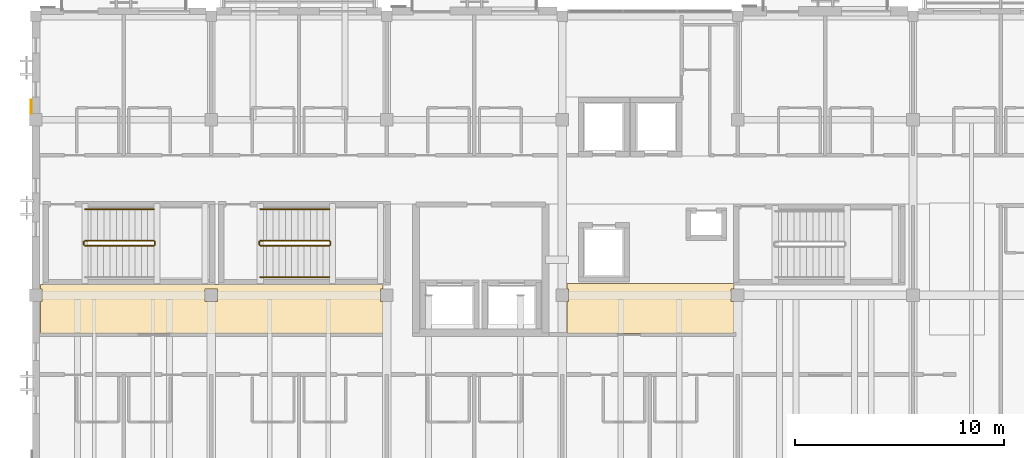
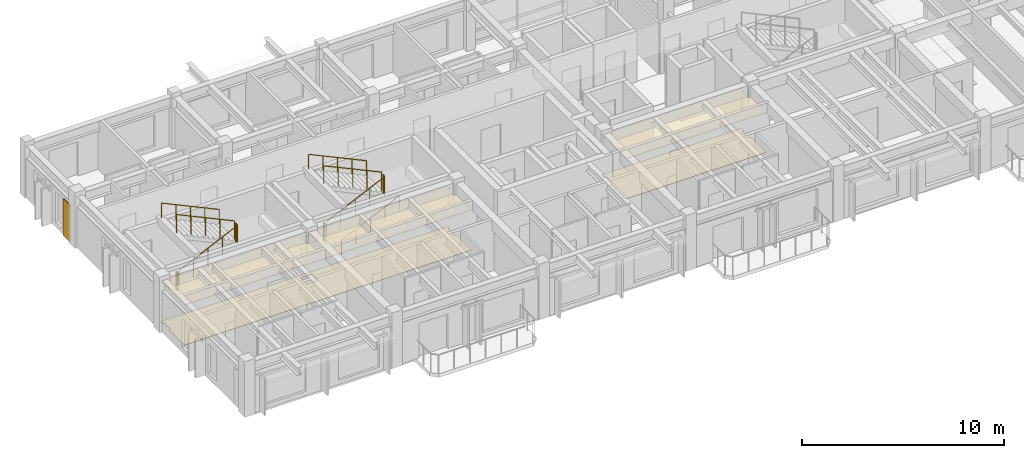
# One storey, part 28 of 31: 11 railings, 5 coverings.
"""IFC4 building model written with IfcOpenShell, lengths in metres."""

from ifc_helpers import new_model, si_unit, direction, frame, origin, origin_2d, place, context, subcontext, project, spatial, polyline, circle, outline, extrude, material, layer, layer_set, type_object, element, save


model = new_model("IFC4")

# Units and contexts
model_context = context("Model", 3, precision=1e-05, world=origin(), true_north=direction((0.0, 1.0)))
body_context = subcontext(model_context, "Body", "Model", "MODEL_VIEW")
ifc_project = project(units=[si_unit("LENGTHUNIT", "METRE"), si_unit("AREAUNIT", "SQUARE_METRE"), si_unit("VOLUMEUNIT", "CUBIC_METRE"), si_unit("PLANEANGLEUNIT", "RADIAN"), si_unit("MASSUNIT", "GRAM", prefix="KILO")], contexts=[model_context])

# Site, building, storey
site_placement = place(None, origin())
site = spatial("IfcSite", under=ifc_project, at=site_placement, CompositionType="ELEMENT")
building_placement = place(site_placement, origin())
building = spatial("IfcBuilding", under=site, at=building_placement, Name="Cumbredor Promenade Congress Hotel", CompositionType="ELEMENT")
storey_placement = place(building_placement, frame((0.0, 0.0, 31.919921875)))
storey = spatial("IfcBuildingStorey", under=building, at=storey_placement, Name="L09", CompositionType="ELEMENT", Elevation=31.919921875)

# Coverings
ifc_material_1 = material(Name="Acoustic mineral-fiber and gypsum ceiling")
ifc_layer_1 = layer(ifc_material_1, 0.028076171875, Name="Acoustic mineral-fiber and gypsum ceiling")
ifc_layer_set_1 = layer_set([ifc_layer_1], Name="Acoustic mineral-fiber and gypsum ceiling")
covering_type_1 = type_object("IfcCoveringType", Name="Acoustic Perforated Gypsum Ceiling CLG-03 28mm", PredefinedType="CEILING", material=ifc_layer_set_1)
covering_1_placement = place(storey_placement, frame((0.0, 0.0, 2.423095703125)))
element("IfcCovering", 1, at=covering_1_placement, inside=storey, type_object=covering_type_1, Name="L09 Sabana Delegates Study Salon Acoustic Ceiling", PredefinedType="CEILING", context=body_context, shape_type="SweptSolid", body=[
    extrude(outline(polyline([(25.02001953125, 101.10498046875), (24.89501953125, 101.10498046875), (24.89501953125, 100.4951171875), (25.02001953125, 100.4951171875), (25.02001953125, 98.9599609375), (8.623046875, 98.9599609375), (8.623046875, 100.4951171875), (8.705078125, 100.4951171875), (8.705078125, 101.10498046875), (8.623046875, 101.10498046875), (8.623046875, 101.320068359375), (25.02001953125, 101.320068359375), (25.02001953125, 101.10498046875)]), holes=[polyline([(16.4951171875, 101.10498046875), (16.4951171875, 100.4951171875), (17.10498046875, 100.4951171875), (17.10498046875, 101.10498046875), (16.4951171875, 101.10498046875)])]), origin(), (0.0, 0.0, 1.0), 0.028076171875),
])
ifc_layer_2 = layer(ifc_material_1, 0.031982421875, Name="Acoustic mineral-fiber and gypsum ceiling")
ifc_layer_set_2 = layer_set([ifc_layer_2], Name="Acoustic mineral-fiber and gypsum ceiling")
covering_type_2 = type_object("IfcCoveringType", Name="Acoustic Perforated Gypsum Ceiling CLG-04 32mm", PredefinedType="CEILING", material=ifc_layer_set_2)
covering_2_placement = place(storey_placement, frame((0.0, 0.0, 2.419189453125)))
element("IfcCovering", 2, at=covering_2_placement, inside=storey, type_object=covering_type_2, Name="L09 Cordillera Business Lounge Acoustic Ceiling", PredefinedType="CEILING", context=body_context, shape_type="SweptSolid", body=[
    extrude(outline(polyline([(41.820068359375, 101.3701171875), (41.820068359375, 101.10498046875), (41.695068359375, 101.10498046875), (41.695068359375, 100.4951171875), (41.820068359375, 100.4951171875), (41.820068359375, 98.9599609375), (33.830078125, 98.9599609375), (33.830078125, 100.4951171875), (33.905029296875, 100.4951171875), (33.905029296875, 101.10498046875), (33.830078125, 101.10498046875), (33.830078125, 101.3701171875), (41.820068359375, 101.3701171875)])), origin(), (0.0, 0.0, 1.0), 0.031982421875),
])
ifc_material_2 = material(Name="Precast concrete C40/50", Category="concrete")
ifc_layer_3 = layer(ifc_material_2, 0.044921875, Name="Precast concrete C40/50", Category="concrete")
ifc_layer_set_3 = layer_set([ifc_layer_3], Name="Precast concrete C40/50")
covering_type_3 = type_object("IfcCoveringType", Name="Board-Formed Architectural Cladding Panel 45mm", PredefinedType="CLADDING", material=ifc_layer_set_3)
covering_3_placement = place(storey_placement, origin())
element("IfcCovering", 3, at=covering_3_placement, inside=storey, type_object=covering_type_3, Name="L09 Facade Stone Cladding Pier 252", PredefinedType="CLADDING", context=body_context, shape_type="SweptSolid", body=[
    extrude(outline(polyline([(8.2099609375, 109.5009765625), (8.2099609375, 110.15087890625), (8.1650390625, 110.15087890625), (8.1650390625, 109.5009765625), (8.2099609375, 109.5009765625)])), origin(), (0.0, 0.0, 1.0), 2.25),
])

# Railings
ifc_material_3 = material(Name="Brushed stainless steel", Category="steel")
railing_type_1 = type_object("IfcRailingType", Name="Interior Void & Stair Guardrail GR-1100", PredefinedType="GUARDRAIL", material=ifc_material_3)
railing_1_placement = place(storey_placement, frame((10.75, 103.169921875, 0.14013671875)))
element("IfcRailing", 4, at=railing_1_placement, inside=storey, type_object=railing_type_1, Name="L09 ST-01 stair guard 1", PredefinedType="GUARDRAIL", context=body_context, shape_type="SweptSolid", body=[
    extrude(circle(Radius=0.02392578125, at=origin_2d()), frame((0.0, 0.0, 1.09619140625), z_axis=(0.906181427284, 0.0, 0.422889135408), x_axis=(0.0, 1.0, 0.0)), (0.0, 0.0, 1.0), 3.6416015625),
    extrude(circle(Radius=0.02099609375, at=origin_2d()), origin(), (0.0, 0.0, 1.0), 1.072021484375),
    extrude(circle(Radius=0.02099609375, at=origin_2d()), frame((0.824951171875, 0.0, 0.385009765625)), (0.0, 0.0, 1.0), 1.072021484375),
    extrude(circle(Radius=0.02099609375, at=origin_2d()), frame((1.64990234375, 0.0, 0.77001953125)), (0.0, 0.0, 1.0), 1.072021484375),
    extrude(circle(Radius=0.02099609375, at=origin_2d()), frame((2.47509765625, 0.0, 1.155029296875)), (0.0, 0.0, 1.0), 1.072021484375),
    extrude(circle(Radius=0.02099609375, at=origin_2d()), frame((3.300048828125, 0.0, 1.5400390625)), (0.0, 0.0, 1.0), 1.072021484375),
])
railing_2_placement = place(storey_placement, frame((14.10009765625, 103.219970703125, 1.68017578125)))
element("IfcRailing", 5, at=railing_2_placement, inside=storey, type_object=railing_type_1, Name="L09 ST-01 stair guard 2", PredefinedType="GUARDRAIL", context=body_context, shape_type="SweptSolid", body=[
    extrude(circle(Radius=0.02392578125, at=origin_2d()), frame((0.0, 0.0, 1.09619140625), z_axis=(0.0, 1.0, 0.0), x_axis=(-1.0, 0.0, 0.0)), (0.0, 0.0, 1.0), 0.150146484375),
    extrude(circle(Radius=0.02099609375, at=origin_2d()), origin(), (0.0, 0.0, 1.0), 1.072021484375),
    extrude(circle(Radius=0.02099609375, at=origin_2d()), frame((0.0, 0.150146484375, 0.0)), (0.0, 0.0, 1.0), 1.072021484375),
])
railing_3_placement = place(storey_placement, frame((14.050048828125, 103.419921875, 1.820068359375)))
element("IfcRailing", 6, at=railing_3_placement, inside=storey, type_object=railing_type_1, Name="L09 ST-01 stair guard 3", PredefinedType="GUARDRAIL", context=body_context, shape_type="SweptSolid", body=[
    extrude(circle(Radius=0.02392578125, at=origin_2d()), frame((0.0, 0.0, 1.09619140625), z_axis=(-0.906181427284, 0.0, 0.422889135408), x_axis=(0.0, -1.0, 0.0)), (0.0, 0.0, 1.0), 3.6416015625),
    extrude(circle(Radius=0.02099609375, at=origin_2d()), origin(), (0.0, 0.0, 1.0), 1.072021484375),
    extrude(circle(Radius=0.02099609375, at=origin_2d()), frame((-0.824951171875, 0.0, 0.385009765625)), (0.0, 0.0, 1.0), 1.072021484375),
    extrude(circle(Radius=0.02099609375, at=origin_2d()), frame((-1.64990234375, 0.0, 0.77001953125)), (0.0, 0.0, 1.0), 1.072021484375),
    extrude(circle(Radius=0.02099609375, at=origin_2d()), frame((-2.47509765625, 0.0, 1.155029296875)), (0.0, 0.0, 1.0), 1.072021484375),
    extrude(circle(Radius=0.02099609375, at=origin_2d()), frame((-3.300048828125, 0.0, 1.5400390625)), (0.0, 0.0, 1.0), 1.072021484375),
])
railing_4_placement = place(storey_placement, frame((10.699951171875, 103.219970703125, 0.0)))
element("IfcRailing", 7, at=railing_4_placement, inside=storey, type_object=railing_type_1, Name="L09 ST-01 stair guard 4", PredefinedType="GUARDRAIL", context=body_context, shape_type="SweptSolid", body=[
    extrude(circle(Radius=0.02392578125, at=origin_2d()), frame((0.0, 0.0, 1.09619140625), z_axis=(0.0, 1.0, 0.0), x_axis=(-1.0, 0.0, 0.0)), (0.0, 0.0, 1.0), 0.150146484375),
    extrude(circle(Radius=0.02099609375, at=origin_2d()), origin(), (0.0, 0.0, 1.0), 1.072021484375),
    extrude(circle(Radius=0.02099609375, at=origin_2d()), frame((0.0, 0.150146484375, 0.0)), (0.0, 0.0, 1.0), 1.072021484375),
])
railing_5_placement = place(storey_placement, frame((19.14990234375, 103.169921875, 0.14013671875)))
element("IfcRailing", 8, at=railing_5_placement, inside=storey, type_object=railing_type_1, Name="L09 ST-02 stair guard 1", PredefinedType="GUARDRAIL", context=body_context, shape_type="SweptSolid", body=[
    extrude(circle(Radius=0.02392578125, at=origin_2d()), frame((0.0, 0.0, 1.09619140625), z_axis=(0.906181427284, 0.0, 0.422889135408), x_axis=(0.0, 1.0, 0.0)), (0.0, 0.0, 1.0), 3.6416015625),
    extrude(circle(Radius=0.02099609375, at=origin_2d()), origin(), (0.0, 0.0, 1.0), 1.072021484375),
    extrude(circle(Radius=0.02099609375, at=origin_2d()), frame((0.824951171875, 0.0, 0.385009765625)), (0.0, 0.0, 1.0), 1.072021484375),
    extrude(circle(Radius=0.02099609375, at=origin_2d()), frame((1.64990234375, 0.0, 0.77001953125)), (0.0, 0.0, 1.0), 1.072021484375),
    extrude(circle(Radius=0.02099609375, at=origin_2d()), frame((2.47509765625, 0.0, 1.155029296875)), (0.0, 0.0, 1.0), 1.072021484375),
    extrude(circle(Radius=0.02099609375, at=origin_2d()), frame((3.300048828125, 0.0, 1.5400390625)), (0.0, 0.0, 1.0), 1.072021484375),
])
railing_6_placement = place(storey_placement, frame((22.5, 103.219970703125, 1.68017578125)))
element("IfcRailing", 9, at=railing_6_placement, inside=storey, type_object=railing_type_1, Name="L09 ST-02 stair guard 2", PredefinedType="GUARDRAIL", context=body_context, shape_type="SweptSolid", body=[
    extrude(circle(Radius=0.02392578125, at=origin_2d()), frame((0.0, 0.0, 1.09619140625), z_axis=(0.0, 1.0, 0.0), x_axis=(-1.0, 0.0, 0.0)), (0.0, 0.0, 1.0), 0.150146484375),
    extrude(circle(Radius=0.02099609375, at=origin_2d()), origin(), (0.0, 0.0, 1.0), 1.072021484375),
    extrude(circle(Radius=0.02099609375, at=origin_2d()), frame((0.0, 0.150146484375, 0.0)), (0.0, 0.0, 1.0), 1.072021484375),
])
railing_7_placement = place(storey_placement, frame((22.449951171875, 103.419921875, 1.820068359375)))
element("IfcRailing", 10, at=railing_7_placement, inside=storey, type_object=railing_type_1, Name="L09 ST-02 stair guard 3", PredefinedType="GUARDRAIL", context=body_context, shape_type="SweptSolid", body=[
    extrude(circle(Radius=0.02392578125, at=origin_2d()), frame((0.0, 0.0, 1.09619140625), z_axis=(-0.906181427284, 0.0, 0.422889135408), x_axis=(0.0, -1.0, 0.0)), (0.0, 0.0, 1.0), 3.6416015625),
    extrude(circle(Radius=0.02099609375, at=origin_2d()), origin(), (0.0, 0.0, 1.0), 1.072021484375),
    extrude(circle(Radius=0.02099609375, at=origin_2d()), frame((-0.824951171875, 0.0, 0.385009765625)), (0.0, 0.0, 1.0), 1.072021484375),
    extrude(circle(Radius=0.02099609375, at=origin_2d()), frame((-1.64990234375, 0.0, 0.77001953125)), (0.0, 0.0, 1.0), 1.072021484375),
    extrude(circle(Radius=0.02099609375, at=origin_2d()), frame((-2.47509765625, 0.0, 1.155029296875)), (0.0, 0.0, 1.0), 1.072021484375),
    extrude(circle(Radius=0.02099609375, at=origin_2d()), frame((-3.300048828125, 0.0, 1.5400390625)), (0.0, 0.0, 1.0), 1.072021484375),
])
railing_8_placement = place(storey_placement, frame((19.10009765625, 103.219970703125, 0.0)))
element("IfcRailing", 11, at=railing_8_placement, inside=storey, type_object=railing_type_1, Name="L09 ST-02 stair guard 4", PredefinedType="GUARDRAIL", context=body_context, shape_type="SweptSolid", body=[
    extrude(circle(Radius=0.02392578125, at=origin_2d()), frame((0.0, 0.0, 1.09619140625), z_axis=(0.0, 1.0, 0.0), x_axis=(-1.0, 0.0, 0.0)), (0.0, 0.0, 1.0), 0.150146484375),
    extrude(circle(Radius=0.02099609375, at=origin_2d()), origin(), (0.0, 0.0, 1.0), 1.072021484375),
    extrude(circle(Radius=0.02099609375, at=origin_2d()), frame((0.0, 0.150146484375, 0.0)), (0.0, 0.0, 1.0), 1.072021484375),
])

# Coverings
ifc_material_4 = material(Name="Porcelain stoneware tile", Category="masonry")
ifc_layer_4 = layer(ifc_material_4, 0.02490234375, Name="Porcelain stoneware tile", Category="masonry")
ifc_layer_set_4 = layer_set([ifc_layer_4], Name="Porcelain stoneware tile")
covering_type_4 = type_object("IfcCoveringType", Name="Porcelain Stoneware Flooring FLR-02 25mm", PredefinedType="FLOORING", material=ifc_layer_set_4)
covering_4_placement = place(storey_placement, origin())
element("IfcCovering", 12, at=covering_4_placement, inside=storey, type_object=covering_type_4, Name="L09 Sabana Delegates Study Salon Porcelain Flooring", PredefinedType="FLOORING", context=body_context, shape_type="SweptSolid", body=[
    extrude(outline(polyline([(25.02001953125, 101.10498046875), (24.89501953125, 101.10498046875), (24.89501953125, 100.4951171875), (25.02001953125, 100.4951171875), (25.02001953125, 98.9599609375), (8.623046875, 98.9599609375), (8.623046875, 100.4951171875), (8.705078125, 100.4951171875), (8.705078125, 101.10498046875), (8.623046875, 101.10498046875), (8.623046875, 101.320068359375), (25.02001953125, 101.320068359375), (25.02001953125, 101.10498046875)]), holes=[polyline([(16.4951171875, 101.10498046875), (16.4951171875, 100.4951171875), (17.10498046875, 100.4951171875), (17.10498046875, 101.10498046875), (16.4951171875, 101.10498046875)])]), origin(), (0.0, 0.0, 1.0), 0.025146484375),
])
ifc_layer_5 = layer(ifc_material_4, 0.030029296875, Name="Porcelain stoneware tile", Category="masonry")
ifc_layer_set_5 = layer_set([ifc_layer_5], Name="Porcelain stoneware tile")
covering_type_5 = type_object("IfcCoveringType", Name="Porcelain Stoneware Flooring FLR-03 30mm", PredefinedType="FLOORING", material=ifc_layer_set_5)
covering_5_placement = place(storey_placement, origin())
element("IfcCovering", 13, at=covering_5_placement, inside=storey, type_object=covering_type_5, Name="L09 Cordillera Business Lounge Porcelain Flooring", PredefinedType="FLOORING", context=body_context, shape_type="SweptSolid", body=[
    extrude(outline(polyline([(41.820068359375, 101.3701171875), (41.820068359375, 101.10498046875), (41.695068359375, 101.10498046875), (41.695068359375, 100.4951171875), (41.820068359375, 100.4951171875), (41.820068359375, 98.9599609375), (33.830078125, 98.9599609375), (33.830078125, 100.4951171875), (33.905029296875, 100.4951171875), (33.905029296875, 101.10498046875), (33.830078125, 101.10498046875), (33.830078125, 101.3701171875), (41.820068359375, 101.3701171875)])), origin(), (0.0, 0.0, 1.0), 0.030029296875),
])

# Railings
railing_type_2 = type_object("IfcRailingType", Name="Stair Pitch Handrail HR-900", PredefinedType="HANDRAIL", material=ifc_material_3)
railing_9_placement = place(storey_placement, frame((14.050048828125, 104.919921875, 1.820068359375)))
element("IfcRailing", 14, at=railing_9_placement, inside=storey, type_object=railing_type_2, Name="L09 ST-01 stair handrail 2", PredefinedType="HANDRAIL", context=body_context, shape_type="SweptSolid", body=[
    extrude(circle(Radius=0.02392578125, at=origin_2d()), frame((0.0, 0.0, 0.8759765625), z_axis=(-0.906181427284, 0.0, 0.422889135408), x_axis=(0.0, -1.0, 0.0)), (0.0, 0.0, 1.0), 3.6416015625),
    extrude(circle(Radius=0.02099609375, at=origin_2d()), origin(), (0.0, 0.0, 1.0), 0.851806640625),
    extrude(circle(Radius=0.02099609375, at=origin_2d()), frame((-0.824951171875, 0.0, 0.385009765625)), (0.0, 0.0, 1.0), 0.851806640625),
    extrude(circle(Radius=0.02099609375, at=origin_2d()), frame((-1.64990234375, 0.0, 0.77001953125)), (0.0, 0.0, 1.0), 0.851806640625),
    extrude(circle(Radius=0.02099609375, at=origin_2d()), frame((-2.47509765625, 0.0, 1.155029296875)), (0.0, 0.0, 1.0), 0.851806640625),
    extrude(circle(Radius=0.02099609375, at=origin_2d()), frame((-3.300048828125, 0.0, 1.5400390625)), (0.0, 0.0, 1.0), 0.851806640625),
])
railing_10_placement = place(storey_placement, frame((19.14990234375, 101.669921875, 0.14013671875)))
element("IfcRailing", 15, at=railing_10_placement, inside=storey, type_object=railing_type_2, Name="L09 ST-02 stair handrail 1", PredefinedType="HANDRAIL", context=body_context, shape_type="SweptSolid", body=[
    extrude(circle(Radius=0.02392578125, at=origin_2d()), frame((0.0, 0.0, 0.8759765625), z_axis=(0.906181427284, 0.0, 0.422889135408), x_axis=(0.0, 1.0, 0.0)), (0.0, 0.0, 1.0), 3.6416015625),
    extrude(circle(Radius=0.02099609375, at=origin_2d()), origin(), (0.0, 0.0, 1.0), 0.851806640625),
    extrude(circle(Radius=0.02099609375, at=origin_2d()), frame((0.824951171875, 0.0, 0.385009765625)), (0.0, 0.0, 1.0), 0.851806640625),
    extrude(circle(Radius=0.02099609375, at=origin_2d()), frame((1.64990234375, 0.0, 0.77001953125)), (0.0, 0.0, 1.0), 0.851806640625),
    extrude(circle(Radius=0.02099609375, at=origin_2d()), frame((2.47509765625, 0.0, 1.155029296875)), (0.0, 0.0, 1.0), 0.851806640625),
    extrude(circle(Radius=0.02099609375, at=origin_2d()), frame((3.300048828125, 0.0, 1.5400390625)), (0.0, 0.0, 1.0), 0.851806640625),
])
railing_11_placement = place(storey_placement, frame((22.449951171875, 104.919921875, 1.820068359375)))
element("IfcRailing", 16, at=railing_11_placement, inside=storey, type_object=railing_type_2, Name="L09 ST-02 stair handrail 2", PredefinedType="HANDRAIL", context=body_context, shape_type="SweptSolid", body=[
    extrude(circle(Radius=0.02392578125, at=origin_2d()), frame((0.0, 0.0, 0.8759765625), z_axis=(-0.906181427284, 0.0, 0.422889135408), x_axis=(0.0, -1.0, 0.0)), (0.0, 0.0, 1.0), 3.6416015625),
    extrude(circle(Radius=0.02099609375, at=origin_2d()), origin(), (0.0, 0.0, 1.0), 0.851806640625),
    extrude(circle(Radius=0.02099609375, at=origin_2d()), frame((-0.824951171875, 0.0, 0.385009765625)), (0.0, 0.0, 1.0), 0.851806640625),
    extrude(circle(Radius=0.02099609375, at=origin_2d()), frame((-1.64990234375, 0.0, 0.77001953125)), (0.0, 0.0, 1.0), 0.851806640625),
    extrude(circle(Radius=0.02099609375, at=origin_2d()), frame((-2.47509765625, 0.0, 1.155029296875)), (0.0, 0.0, 1.0), 0.851806640625),
    extrude(circle(Radius=0.02099609375, at=origin_2d()), frame((-3.300048828125, 0.0, 1.5400390625)), (0.0, 0.0, 1.0), 0.851806640625),
])

save(model, "model.ifc")
